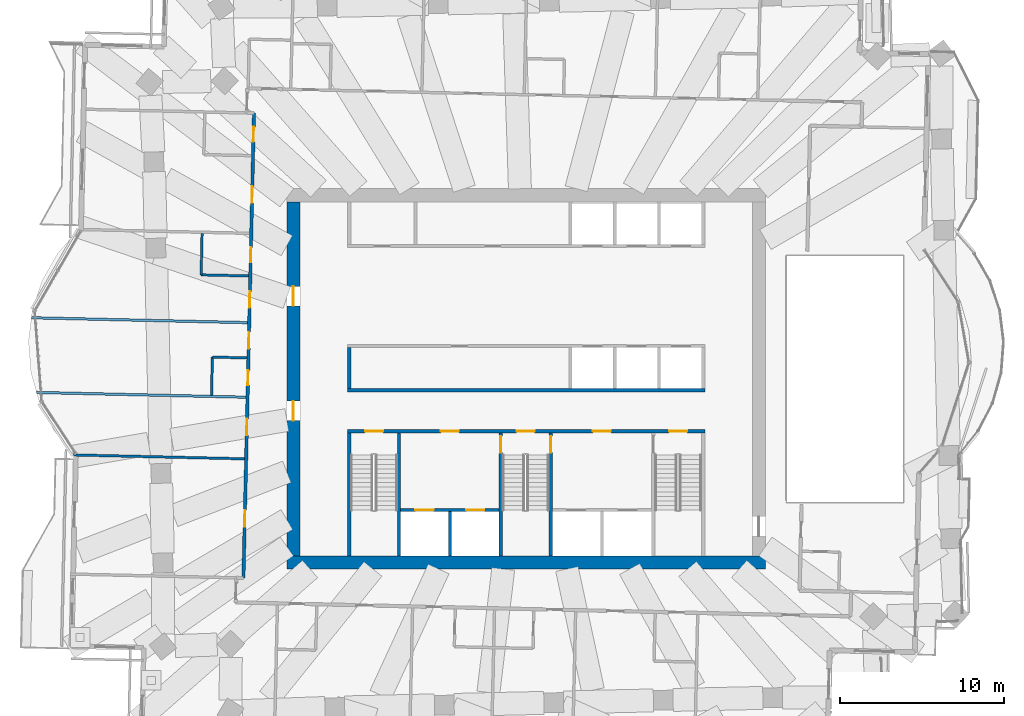
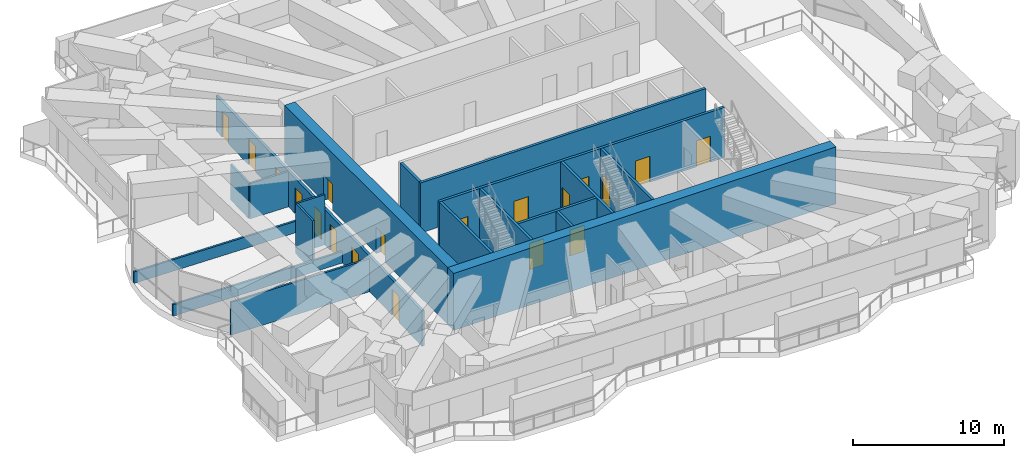
# One storey, part 10 of 19: 19 doors, 19 walls, 19 openings.
"""IFC4 building model written with IfcOpenShell, lengths in metres."""

from ifc_helpers import new_model, si_unit, direction, frame, frame_2d, origin, place, context, subcontext, project, spatial, rectangle, extrude, material, layer, layer_set, type_object, element, fill, save


model = new_model("IFC4")

# Units and contexts
model_context = context("Model", 3, precision=1e-05, world=origin(), true_north=direction((0.0, 1.0)))
body_context = subcontext(model_context, "Body", "Model", "MODEL_VIEW")
ifc_project = project(units=[si_unit("LENGTHUNIT", "METRE"), si_unit("AREAUNIT", "SQUARE_METRE"), si_unit("VOLUMEUNIT", "CUBIC_METRE"), si_unit("PLANEANGLEUNIT", "RADIAN"), si_unit("MASSUNIT", "GRAM", prefix="KILO")], contexts=[model_context])

# Site, building, storey
site_placement = place(None, origin())
site = spatial("IfcSite", under=ifc_project, at=site_placement, CompositionType="ELEMENT")
building_placement = place(site_placement, origin())
building = spatial("IfcBuilding", under=site, at=building_placement, Name="Mangrove Gate Tower", CompositionType="ELEMENT")
storey_placement = place(building_placement, frame((0.0, 0.0, 193.300048828125)))
storey = spatial("IfcBuildingStorey", under=building, at=storey_placement, Name="L49", CompositionType="ELEMENT", Elevation=193.300048828125)

# Walls
ifc_material_1 = material(Name="Concrete C32/40", Category="concrete")
ifc_layer_1 = layer(ifc_material_1, 0.199951171875)
ifc_layer_set_1 = layer_set([ifc_layer_1], Name="Core room wall 200 C32/40")
wall_type_1 = type_object("IfcWallType", Name="Core room wall 200 C32/40", PredefinedType="STANDARD", material=ifc_layer_set_1)
wall_1_placement = place(storey_placement, frame((-10.800048828125, -0.60009765625, 0.0), z_axis=(0.0, 0.0, 1.0), x_axis=(0.0, 1.0, 0.0)))
element("IfcWall", 1, at=wall_1_placement, inside=storey, type_object=wall_type_1, Name="WALL-L49-CORE-19", PredefinedType="STANDARD", context=body_context, shape_type="SweptSolid", body=[
    extrude(rectangle(XDim=2.5, YDim=0.199951171875, at=frame_2d((1.25, 0.0))), origin(), (0.0, 0.0, 1.0), 4.050048828125),
])
ifc_material_2 = material(Name="Concrete C60/75", Category="concrete")
ifc_layer_2 = layer(ifc_material_2, 0.199951171875)
ifc_layer_set_2 = layer_set([ifc_layer_2], Name="Core shaft wall 200 C60/75")
wall_type_2 = type_object("IfcWallType", Name="Core shaft wall 200 C60/75", PredefinedType="SHEAR", material=ifc_layer_set_2)
wall_2_placement = place(storey_placement, frame((-10.89990234375, -0.699951171875, 0.0), z_axis=(0.0, 0.0, 1.0), x_axis=(1.0, 0.0, 0.0)))
element("IfcWall", 2, at=wall_2_placement, inside=storey, type_object=wall_type_2, Name="WALL-L49-CORE-6", PredefinedType="SHEAR", context=body_context, shape_type="SweptSolid", body=[
    extrude(rectangle(XDim=21.7998046875, YDim=0.199951171875, at=frame_2d((10.89990234375, 0.0))), origin(), (0.0, 0.0, 1.0), 4.050048828125),
])

# Wall, openings, doors
wall_3_placement = place(storey_placement, frame((-7.64990234375, -8.0, 0.0), z_axis=(0.0, 0.0, 1.0), x_axis=(1.0, 0.0, 0.0)))
wall_3 = element("IfcWall", 3, at=wall_3_placement, inside=storey, type_object=wall_type_2, Name="WALL-L49-CORE-15", PredefinedType="SHEAR", context=body_context, shape_type="SweptSolid", body=[
    extrude(rectangle(XDim=6.0, YDim=0.199951171875, at=frame_2d((3.0, 0.0))), origin(), (0.0, 0.0, 1.0), 4.050048828125),
])
opening_1_placement = place(wall_3_placement, frame((0.89990234375, 0.0, 0.0)))
opening_1 = element("IfcOpeningElement", 4, at=opening_1_placement, cuts=wall_3, Name="Opening LD", PredefinedType="OPENING", context=body_context, shape_type="SweptSolid", body=[
    extrude(rectangle(XDim=1.10009765625, YDim=2.10009765625, at=frame_2d((0.550048828125, 1.050048828125))), frame((0.0, 0.10986328125, 0.0), z_axis=(0.0, -1.0, 0.0), x_axis=(1.0, 0.0, 0.0)), (0.0, 0.0, 1.0), 0.219970703125),
])
opening_2_placement = place(wall_3_placement, frame((4.0, 0.0, 0.0)))
opening_2 = element("IfcOpeningElement", 5, at=opening_2_placement, cuts=wall_3, Name="Opening LD", PredefinedType="OPENING", context=body_context, shape_type="SweptSolid", body=[
    extrude(rectangle(XDim=1.10009765625, YDim=2.10009765625, at=frame_2d((0.550048828125, 1.050048828125))), frame((0.0, 0.10986328125, 0.0), z_axis=(0.0, -1.0, 0.0), x_axis=(1.0, 0.0, 0.0)), (0.0, 0.0, 1.0), 0.219970703125),
])
ifc_material_3 = material(Name="Stainless steel 316", Category="steel")
door_type_1 = type_object("IfcDoorType", Name="Lift landing door 1100x2100", OperationType="SLIDING_TO_LEFT", PredefinedType="DOOR", material=ifc_material_3)
door_1_placement = place(opening_1_placement, origin())
door_1 = element("IfcDoor", 6, at=door_1_placement, inside=storey, type_object=door_type_1, Name="Landing door LD SVL1", OperationType="SLIDING_TO_LEFT", OverallHeight=2.10009765625, OverallWidth=1.10009765625, PredefinedType="DOOR", context=body_context, shape_type="SweptSolid", body=[
    extrude(rectangle(XDim=1.10009765625, YDim=2.10009765625, at=frame_2d((0.550048828125, 1.050048828125))), frame((0.0, 0.02490234375, 0.0), z_axis=(0.0, -1.0, 0.0), x_axis=(1.0, 0.0, 0.0)), (0.0, 0.0, 1.0), 0.050048828125),
])
fill(opening_1, door_1)
door_2_placement = place(opening_2_placement, origin())
door_2 = element("IfcDoor", 7, at=door_2_placement, inside=storey, type_object=door_type_1, Name="Landing door LD SVL2", OperationType="SLIDING_TO_LEFT", OverallHeight=2.10009765625, OverallWidth=1.10009765625, PredefinedType="DOOR", context=body_context, shape_type="SweptSolid", body=[
    extrude(rectangle(XDim=1.10009765625, YDim=2.10009765625, at=frame_2d((0.550048828125, 1.050048828125))), frame((0.0, 0.02490234375, 0.0), z_axis=(0.0, -1.0, 0.0), x_axis=(1.0, 0.0, 0.0)), (0.0, 0.0, 1.0), 0.050048828125),
])
fill(opening_2, door_2)

# Wall
wall_4_placement = place(storey_placement, frame((-4.64990234375, -10.800048828125, 0.0), z_axis=(0.0, 0.0, 1.0), x_axis=(0.0, 1.0, 0.0)))
element("IfcWall", 8, at=wall_4_placement, inside=storey, type_object=wall_type_2, Name="WALL-L49-CORE-16", PredefinedType="SHEAR", context=body_context, shape_type="SweptSolid", body=[
    extrude(rectangle(XDim=2.699951171875, YDim=0.199951171875, at=frame_2d((1.35009765625, 0.0))), origin(), (0.0, 0.0, 1.0), 4.050048828125),
])

# Wall, openings, doors
ifc_material_4 = material(Name="Concrete C60/75", Category="concrete")
ifc_layer_3 = layer(ifc_material_4, 0.199951171875)
ifc_layer_set_3 = layer_set([ifc_layer_3], Name="Core stair wall 200 C60/75")
wall_type_3 = type_object("IfcWallType", Name="Core stair wall 200 C60/75", PredefinedType="SHEAR", material=ifc_layer_set_3)
wall_5_placement = place(storey_placement, frame((-10.89990234375, -3.199951171875, 0.0), z_axis=(0.0, 0.0, 1.0), x_axis=(1.0, 0.0, 0.0)))
wall_5 = element("IfcWall", 9, at=wall_5_placement, inside=storey, type_object=wall_type_3, Name="WALL-L49-CORE-5", PredefinedType="SHEAR", context=body_context, shape_type="SweptSolid", body=[
    extrude(rectangle(XDim=21.7998046875, YDim=0.199951171875, at=frame_2d((10.89990234375, 0.0))), origin(), (0.0, 0.0, 1.0), 4.050048828125),
])
opening_3_placement = place(wall_5_placement, frame((1.074951171875, 0.0, 0.0)))
opening_3 = element("IfcOpeningElement", 10, at=opening_3_placement, cuts=wall_5, Name="Opening STD11", PredefinedType="OPENING", context=body_context, shape_type="SweptSolid", body=[
    extrude(rectangle(XDim=1.10009765625, YDim=2.10009765625, at=frame_2d((0.550048828125, 1.050048828125))), frame((0.0, 0.10986328125, 0.0), z_axis=(0.0, -1.0, 0.0), x_axis=(1.0, 0.0, 0.0)), (0.0, 0.0, 1.0), 0.219970703125),
])
opening_4_placement = place(wall_5_placement, frame((10.324951171875, 0.0, 0.0)))
opening_4 = element("IfcOpeningElement", 11, at=opening_4_placement, cuts=wall_5, Name="Opening STD11", PredefinedType="OPENING", context=body_context, shape_type="SweptSolid", body=[
    extrude(rectangle(XDim=1.10009765625, YDim=2.10009765625, at=frame_2d((0.550048828125, 1.050048828125))), frame((0.0, 0.10986328125, 0.0), z_axis=(0.0, -1.0, 0.0), x_axis=(1.0, 0.0, 0.0)), (0.0, 0.0, 1.0), 0.219970703125),
])
opening_5_placement = place(wall_5_placement, frame((19.625, 0.0, 0.0)))
opening_5 = element("IfcOpeningElement", 12, at=opening_5_placement, cuts=wall_5, Name="Opening STD11", PredefinedType="OPENING", context=body_context, shape_type="SweptSolid", body=[
    extrude(rectangle(XDim=1.10009765625, YDim=2.10009765625, at=frame_2d((0.550048828125, 1.050048828125))), frame((0.0, 0.10986328125, 0.0), z_axis=(0.0, -1.0, 0.0), x_axis=(1.0, 0.0, 0.0)), (0.0, 0.0, 1.0), 0.219970703125),
])
opening_6_placement = place(wall_5_placement, frame((5.699951171875, 0.0, 0.0)))
opening_6 = element("IfcOpeningElement", 13, at=opening_6_placement, cuts=wall_5, Name="Opening FL", PredefinedType="OPENING", context=body_context, shape_type="SweptSolid", body=[
    extrude(rectangle(XDim=1.10009765625, YDim=2.10009765625, at=frame_2d((0.550048828125, 1.050048828125))), frame((0.0, 0.10986328125, 0.0), z_axis=(0.0, -1.0, 0.0), x_axis=(1.0, 0.0, 0.0)), (0.0, 0.0, 1.0), 0.219970703125),
])
opening_7_placement = place(wall_5_placement, frame((14.97509765625, 0.0, 0.0)))
opening_7 = element("IfcOpeningElement", 14, at=opening_7_placement, cuts=wall_5, Name="Opening FL", PredefinedType="OPENING", context=body_context, shape_type="SweptSolid", body=[
    extrude(rectangle(XDim=1.10009765625, YDim=2.10009765625, at=frame_2d((0.550048828125, 1.050048828125))), frame((0.0, 0.10986328125, 0.0), z_axis=(0.0, -1.0, 0.0), x_axis=(1.0, 0.0, 0.0)), (0.0, 0.0, 1.0), 0.219970703125),
])
ifc_material_5 = material(Name="Fire-rated steel door set", Category="steel")
door_type_2 = type_object("IfcDoorType", Name="Lobby door FD60 1100x2100", OperationType="SINGLE_SWING_LEFT", PredefinedType="DOOR", material=ifc_material_5)
door_3_placement = place(opening_6_placement, origin())
door_3 = element("IfcDoor", 15, at=door_3_placement, inside=storey, type_object=door_type_2, Name="Lobby door service lobby", OperationType="SINGLE_SWING_LEFT", OverallHeight=2.10009765625, OverallWidth=1.10009765625, PredefinedType="DOOR", context=body_context, shape_type="SweptSolid", body=[
    extrude(rectangle(XDim=1.10009765625, YDim=2.10009765625, at=frame_2d((0.550048828125, 1.050048828125))), frame((0.0, 0.02490234375, 0.0), z_axis=(0.0, -1.0, 0.0), x_axis=(1.0, 0.0, 0.0)), (0.0, 0.0, 1.0), 0.050048828125),
])
fill(opening_6, door_3)
door_4_placement = place(opening_7_placement, origin())
door_4 = element("IfcDoor", 16, at=door_4_placement, inside=storey, type_object=door_type_2, Name="Lobby door fire-fighting lobby", OperationType="SINGLE_SWING_LEFT", OverallHeight=2.10009765625, OverallWidth=1.10009765625, PredefinedType="DOOR", context=body_context, shape_type="SweptSolid", body=[
    extrude(rectangle(XDim=1.10009765625, YDim=2.10009765625, at=frame_2d((0.550048828125, 1.050048828125))), frame((0.0, 0.02490234375, 0.0), z_axis=(0.0, -1.0, 0.0), x_axis=(1.0, 0.0, 0.0)), (0.0, 0.0, 1.0), 0.050048828125),
])
fill(opening_7, door_4)
ifc_material_6 = material(Name="Fire-rated steel door set", Category="steel")
door_type_3 = type_object("IfcDoorType", Name="Stair door FD60 1100x2100", OperationType="SINGLE_SWING_RIGHT", PredefinedType="DOOR", material=ifc_material_6)
door_5_placement = place(opening_3_placement, origin())
door_5 = element("IfcDoor", 17, at=door_5_placement, inside=storey, type_object=door_type_3, Name="Stair door Stair 1", OperationType="SINGLE_SWING_RIGHT", OverallHeight=2.10009765625, OverallWidth=1.10009765625, PredefinedType="DOOR", context=body_context, shape_type="SweptSolid", body=[
    extrude(rectangle(XDim=1.10009765625, YDim=2.10009765625, at=frame_2d((0.550048828125, 1.050048828125))), frame((0.0, 0.02490234375, 0.0), z_axis=(0.0, -1.0, 0.0), x_axis=(1.0, 0.0, 0.0)), (0.0, 0.0, 1.0), 0.050048828125),
])
fill(opening_3, door_5)
door_6_placement = place(opening_4_placement, origin())
door_6 = element("IfcDoor", 18, at=door_6_placement, inside=storey, type_object=door_type_3, Name="Stair door Stair 2", OperationType="SINGLE_SWING_RIGHT", OverallHeight=2.10009765625, OverallWidth=1.10009765625, PredefinedType="DOOR", context=body_context, shape_type="SweptSolid", body=[
    extrude(rectangle(XDim=1.10009765625, YDim=2.10009765625, at=frame_2d((0.550048828125, 1.050048828125))), frame((0.0, 0.02490234375, 0.0), z_axis=(0.0, -1.0, 0.0), x_axis=(1.0, 0.0, 0.0)), (0.0, 0.0, 1.0), 0.050048828125),
])
fill(opening_4, door_6)
door_7_placement = place(opening_5_placement, origin())
door_7 = element("IfcDoor", 19, at=door_7_placement, inside=storey, type_object=door_type_3, Name="Stair door Stair 3", OperationType="SINGLE_SWING_RIGHT", OverallHeight=2.10009765625, OverallWidth=1.10009765625, PredefinedType="DOOR", context=body_context, shape_type="SweptSolid", body=[
    extrude(rectangle(XDim=1.10009765625, YDim=2.10009765625, at=frame_2d((0.550048828125, 1.050048828125))), frame((0.0, 0.02490234375, 0.0), z_axis=(0.0, -1.0, 0.0), x_axis=(1.0, 0.0, 0.0)), (0.0, 0.0, 1.0), 0.050048828125),
])
fill(opening_5, door_7)

# Walls
for number, where, z_axis, x_axis, name in (
    (20, (-10.800048828125, -10.800048828125, 0.0), (0.0, 0.0, 1.0), (0.0, 1.0, 0.0), "WALL-L49-CORE-9"),
    (21, (-7.75, -10.800048828125, 0.0), (0.0, 0.0, 1.0), (0.0, 1.0, 0.0), "WALL-L49-CORE-10"),
):
    element("IfcWall", number, at=place(storey_placement, frame(where, z_axis=z_axis, x_axis=x_axis)), inside=storey, type_object=wall_type_3, Name=name, PredefinedType="SHEAR", context=body_context, shape_type="SweptSolid", body=[
        extrude(rectangle(XDim=7.5, YDim=0.199951171875, at=frame_2d((3.75, 0.0))), origin(), (0.0, 0.0, 1.0), 4.050048828125),
    ])

# Wall, opening, door
wall_6_placement = place(storey_placement, frame((-1.550048828125, -10.800048828125, 0.0), z_axis=(0.0, 0.0, 1.0), x_axis=(0.0, 1.0, 0.0)))
wall_6 = element("IfcWall", 22, at=wall_6_placement, inside=storey, type_object=wall_type_3, Name="WALL-L49-CORE-11", PredefinedType="SHEAR", context=body_context, shape_type="SweptSolid", body=[
    extrude(rectangle(XDim=7.5, YDim=0.199951171875, at=frame_2d((3.75, 0.0))), origin(), (0.0, 0.0, 1.0), 4.050048828125),
])
opening_8_placement = place(wall_6_placement, frame((6.300048828125, 0.0, 0.0)))
opening_8 = element("IfcOpeningElement", 23, at=opening_8_placement, cuts=wall_6, Name="Opening STD10", PredefinedType="OPENING", context=body_context, shape_type="SweptSolid", body=[
    extrude(rectangle(XDim=1.0, YDim=2.10009765625, at=frame_2d((0.5, 1.050048828125))), frame((0.0, 0.10986328125, 0.0), z_axis=(0.0, -1.0, 0.0), x_axis=(1.0, 0.0, 0.0)), (0.0, 0.0, 1.0), 0.219970703125),
])
ifc_material_7 = material(Name="Fire-rated steel door set", Category="steel")
door_type_4 = type_object("IfcDoorType", Name="Stair door FD60 1000x2100", OperationType="SINGLE_SWING_RIGHT", PredefinedType="DOOR", material=ifc_material_7)
door_8_placement = place(opening_8_placement, origin())
door_8 = element("IfcDoor", 24, at=door_8_placement, inside=storey, type_object=door_type_4, Name="Stair door Stair 2 from service lobby", OperationType="SINGLE_SWING_RIGHT", OverallHeight=2.10009765625, OverallWidth=1.0, PredefinedType="DOOR", context=body_context, shape_type="SweptSolid", body=[
    extrude(rectangle(XDim=1.0, YDim=2.10009765625, at=frame_2d((0.5, 1.050048828125))), frame((0.0, 0.02490234375, 0.0), z_axis=(0.0, -1.0, 0.0), x_axis=(1.0, 0.0, 0.0)), (0.0, 0.0, 1.0), 0.050048828125),
])
fill(opening_8, door_8)

wall_7_placement = place(storey_placement, frame((1.5, -10.800048828125, 0.0), z_axis=(0.0, 0.0, 1.0), x_axis=(0.0, 1.0, 0.0)))
wall_7 = element("IfcWall", 25, at=wall_7_placement, inside=storey, type_object=wall_type_3, Name="WALL-L49-CORE-12", PredefinedType="SHEAR", context=body_context, shape_type="SweptSolid", body=[
    extrude(rectangle(XDim=7.5, YDim=0.199951171875, at=frame_2d((3.75, 0.0))), origin(), (0.0, 0.0, 1.0), 4.050048828125),
])
opening_9_placement = place(wall_7_placement, frame((6.300048828125, 0.0, 0.0)))
opening_9 = element("IfcOpeningElement", 26, at=opening_9_placement, cuts=wall_7, Name="Opening STD10", PredefinedType="OPENING", context=body_context, shape_type="SweptSolid", body=[
    extrude(rectangle(XDim=1.0, YDim=2.10009765625, at=frame_2d((0.5, 1.050048828125))), frame((0.0, 0.10986328125, 0.0), z_axis=(0.0, -1.0, 0.0), x_axis=(1.0, 0.0, 0.0)), (0.0, 0.0, 1.0), 0.219970703125),
])
door_9_placement = place(opening_9_placement, origin())
door_9 = element("IfcDoor", 27, at=door_9_placement, inside=storey, type_object=door_type_4, Name="Stair door Stair 2 from fire-fighting lobby", OperationType="SINGLE_SWING_RIGHT", OverallHeight=2.10009765625, OverallWidth=1.0, PredefinedType="DOOR", context=body_context, shape_type="SweptSolid", body=[
    extrude(rectangle(XDim=1.0, YDim=2.10009765625, at=frame_2d((0.5, 1.050048828125))), frame((0.0, 0.02490234375, 0.0), z_axis=(0.0, -1.0, 0.0), x_axis=(1.0, 0.0, 0.0)), (0.0, 0.0, 1.0), 0.050048828125),
])
fill(opening_9, door_9)

# Wall
ifc_material_8 = material(Name="Concrete C60/75", Category="concrete")
ifc_layer_4 = layer(ifc_material_8, 0.800048828125)
ifc_layer_set_4 = layer_set([ifc_layer_4], Name="Core wall 800 C60/75")
wall_type_4 = type_object("IfcWallType", Name="Core wall 800 C60/75", PredefinedType="SHEAR", material=ifc_layer_set_4)
wall_8_placement = place(storey_placement, frame((-14.60009765625, -11.199951171875, 0.0), z_axis=(0.0, 0.0, 1.0), x_axis=(1.0, 0.0, 0.0)))
element("IfcWall", 28, at=wall_8_placement, inside=storey, type_object=wall_type_4, Name="WALL-L49-CORE-1", PredefinedType="SHEAR", context=body_context, shape_type="SweptSolid", body=[
    extrude(rectangle(XDim=29.2001953125, YDim=0.800048828125, at=frame_2d((14.60009765625, 0.0))), origin(), (0.0, 0.0, 1.0), 4.599853515625),
])

# Wall, openings, doors
wall_9_placement = place(storey_placement, frame((-14.199951171875, -10.800048828125, 0.0), z_axis=(0.0, 0.0, 1.0), x_axis=(0.0, 1.0, 0.0)))
wall_9 = element("IfcWall", 29, at=wall_9_placement, inside=storey, type_object=wall_type_4, Name="WALL-L49-CORE-3", PredefinedType="SHEAR", context=body_context, shape_type="SweptSolid", body=[
    extrude(rectangle(XDim=21.60009765625, YDim=0.800048828125, at=frame_2d((10.800048828125, 0.0))), origin(), (0.0, 0.0, 1.0), 4.599853515625),
])
opening_10_placement = place(wall_9_placement, frame((8.25, 0.0, 0.0)))
opening_10 = element("IfcOpeningElement", 30, at=opening_10_placement, cuts=wall_9, Name="Opening CD", PredefinedType="OPENING", context=body_context, shape_type="SweptSolid", body=[
    extrude(rectangle(XDim=1.199951171875, YDim=2.10009765625, at=frame_2d((0.60009765625, 1.050048828125))), frame((0.0, 0.409912109375, 0.0), z_axis=(0.0, -1.0, 0.0), x_axis=(1.0, 0.0, 0.0)), (0.0, 0.0, 1.0), 0.820068359375),
])
opening_11_placement = place(wall_9_placement, frame((15.25, 0.0, 0.0)))
opening_11 = element("IfcOpeningElement", 31, at=opening_11_placement, cuts=wall_9, Name="Opening CD", PredefinedType="OPENING", context=body_context, shape_type="SweptSolid", body=[
    extrude(rectangle(XDim=1.199951171875, YDim=2.10009765625, at=frame_2d((0.60009765625, 1.050048828125))), frame((0.0, 0.409912109375, 0.0), z_axis=(0.0, -1.0, 0.0), x_axis=(1.0, 0.0, 0.0)), (0.0, 0.0, 1.0), 0.820068359375),
])
ifc_material_9 = material(Name="Fire-rated steel door set", Category="steel")
door_type_5 = type_object("IfcDoorType", Name="Core ring door FD60 1200x2100", OperationType="DOUBLE_DOOR_SINGLE_SWING", PredefinedType="DOOR", material=ifc_material_9)
door_10_placement = place(opening_10_placement, origin())
door_10 = element("IfcDoor", 32, at=door_10_placement, inside=storey, type_object=door_type_5, Name="Core ring door W1", OperationType="DOUBLE_DOOR_SINGLE_SWING", OverallHeight=2.10009765625, OverallWidth=1.199951171875, PredefinedType="DOOR", context=body_context, shape_type="SweptSolid", body=[
    extrude(rectangle(XDim=1.199951171875, YDim=2.10009765625, at=frame_2d((0.60009765625, 1.050048828125))), frame((0.0, 0.02490234375, 0.0), z_axis=(0.0, -1.0, 0.0), x_axis=(1.0, 0.0, 0.0)), (0.0, 0.0, 1.0), 0.050048828125),
])
fill(opening_10, door_10)
door_11_placement = place(opening_11_placement, origin())
door_11 = element("IfcDoor", 33, at=door_11_placement, inside=storey, type_object=door_type_5, Name="Core ring door W2", OperationType="DOUBLE_DOOR_SINGLE_SWING", OverallHeight=2.10009765625, OverallWidth=1.199951171875, PredefinedType="DOOR", context=body_context, shape_type="SweptSolid", body=[
    extrude(rectangle(XDim=1.199951171875, YDim=2.10009765625, at=frame_2d((0.60009765625, 1.050048828125))), frame((0.0, 0.02490234375, 0.0), z_axis=(0.0, -1.0, 0.0), x_axis=(1.0, 0.0, 0.0)), (0.0, 0.0, 1.0), 0.050048828125),
])
fill(opening_11, door_11)

ifc_material_10 = material(Name="Gypsum board on steel stud, EI 60", Category="steel")
ifc_layer_5 = layer(ifc_material_10, 0.199951171875)
ifc_layer_set_5 = layer_set([ifc_layer_5], Name="Corridor wall EI 60")
wall_type_5 = type_object("IfcWallType", Name="Corridor wall EI 60", PredefinedType="PARTITIONING", material=ifc_layer_set_5)
wall_10_placement = place(storey_placement, frame((-17.2470703125, -12.14892578125, 0.0), z_axis=(0.0, 0.0, 1.0), x_axis=(0.022698146637, 0.999742363881, 0.0)))
wall_10 = element("IfcWall", 34, at=wall_10_placement, inside=storey, type_object=wall_type_5, Name="WALL-L49-018", PredefinedType="PARTITIONING", context=body_context, shape_type="SweptSolid", body=[
    extrude(rectangle(XDim=28.374267578125, YDim=0.199951171875, at=frame_2d((14.18701171875, 0.0))), origin(), (0.0, 0.0, 1.0), 2.849853515625),
])
opening_12_placement = place(wall_10_placement, frame((22.89990234375, 0.0, 0.0)))
opening_12 = element("IfcOpeningElement", 35, at=opening_12_placement, cuts=wall_10, Name="Opening AD", PredefinedType="OPENING", context=body_context, shape_type="SweptSolid", body=[
    extrude(rectangle(XDim=1.0, YDim=2.10009765625, at=frame_2d((0.5, 1.050048828125))), frame((0.0, 0.10986328125, 0.0), z_axis=(0.0, -1.0, 0.0), x_axis=(1.0, 0.0, 0.0)), (0.0, 0.0, 1.0), 0.219970703125),
])
opening_13_placement = place(wall_10_placement, frame((26.6240234375, 0.0, 0.0)))
opening_13 = element("IfcOpeningElement", 36, at=opening_13_placement, cuts=wall_10, Name="Opening SD", PredefinedType="OPENING", context=body_context, shape_type="SweptSolid", body=[
    extrude(rectangle(XDim=0.89990234375, YDim=2.10009765625, at=frame_2d((0.449951171875, 1.050048828125))), frame((0.0, 0.10986328125, 0.0), z_axis=(0.0, -1.0, 0.0), x_axis=(1.0, 0.0, 0.0)), (0.0, 0.0, 1.0), 0.219970703125),
])
opening_14_placement = place(wall_10_placement, frame((16.5, 0.0, 0.0)))
opening_14 = element("IfcOpeningElement", 37, at=opening_14_placement, cuts=wall_10, Name="Opening AD", PredefinedType="OPENING", context=body_context, shape_type="SweptSolid", body=[
    extrude(rectangle(XDim=1.0, YDim=2.10009765625, at=frame_2d((0.5, 1.050048828125))), frame((0.0, 0.10986328125, 0.0), z_axis=(0.0, -1.0, 0.0), x_axis=(1.0, 0.0, 0.0)), (0.0, 0.0, 1.0), 0.219970703125),
])
opening_15_placement = place(wall_10_placement, frame((19.27490234375, 0.0, 0.0)))
opening_15 = element("IfcOpeningElement", 38, at=opening_15_placement, cuts=wall_10, Name="Opening SD", PredefinedType="OPENING", context=body_context, shape_type="SweptSolid", body=[
    extrude(rectangle(XDim=0.89990234375, YDim=2.10009765625, at=frame_2d((0.449951171875, 1.050048828125))), frame((0.0, 0.10986328125, 0.0), z_axis=(0.0, -1.0, 0.0), x_axis=(1.0, 0.0, 0.0)), (0.0, 0.0, 1.0), 0.219970703125),
])
opening_16_placement = place(wall_10_placement, frame((14.0, 0.0, 0.0)))
opening_16 = element("IfcOpeningElement", 39, at=opening_16_placement, cuts=wall_10, Name="Opening AD", PredefinedType="OPENING", context=body_context, shape_type="SweptSolid", body=[
    extrude(rectangle(XDim=1.0, YDim=2.10009765625, at=frame_2d((0.5, 1.050048828125))), frame((0.0, 0.10986328125, 0.0), z_axis=(0.0, -1.0, 0.0), x_axis=(1.0, 0.0, 0.0)), (0.0, 0.0, 1.0), 0.219970703125),
])
opening_17_placement = place(wall_10_placement, frame((11.77490234375, 0.0, 0.0)))
opening_17 = element("IfcOpeningElement", 40, at=opening_17_placement, cuts=wall_10, Name="Opening SD", PredefinedType="OPENING", context=body_context, shape_type="SweptSolid", body=[
    extrude(rectangle(XDim=0.89990234375, YDim=2.10009765625, at=frame_2d((0.449951171875, 1.050048828125))), frame((0.0, 0.10986328125, 0.0), z_axis=(0.0, -1.0, 0.0), x_axis=(1.0, 0.0, 0.0)), (0.0, 0.0, 1.0), 0.219970703125),
])
opening_18_placement = place(wall_10_placement, frame((8.7119140625, 0.0, 0.0)))
opening_18 = element("IfcOpeningElement", 41, at=opening_18_placement, cuts=wall_10, Name="Opening AD", PredefinedType="OPENING", context=body_context, shape_type="SweptSolid", body=[
    extrude(rectangle(XDim=1.0, YDim=2.10009765625, at=frame_2d((0.5, 1.050048828125))), frame((0.0, 0.10986328125, 0.0), z_axis=(0.0, -1.0, 0.0), x_axis=(1.0, 0.0, 0.0)), (0.0, 0.0, 1.0), 0.219970703125),
])
opening_19_placement = place(wall_10_placement, frame((3.137939453125, 0.0, 0.0)))
opening_19 = element("IfcOpeningElement", 42, at=opening_19_placement, cuts=wall_10, Name="Opening AD", PredefinedType="OPENING", context=body_context, shape_type="SweptSolid", body=[
    extrude(rectangle(XDim=1.0, YDim=2.10009765625, at=frame_2d((0.5, 1.050048828125))), frame((0.0, 0.10986328125, 0.0), z_axis=(0.0, -1.0, 0.0), x_axis=(1.0, 0.0, 0.0)), (0.0, 0.0, 1.0), 0.219970703125),
])
ifc_material_11 = material(Name="Timber door leaf", Category="wood")
door_type_6 = type_object("IfcDoorType", Name="Amenity door 1000", OperationType="SINGLE_SWING_LEFT", PredefinedType="DOOR", material=ifc_material_11)
door_12_placement = place(opening_12_placement, origin())
door_12 = element("IfcDoor", 43, at=door_12_placement, inside=storey, type_object=door_type_6, Name="DOOR-L49-LNG-c5b", OperationType="SINGLE_SWING_RIGHT", OverallHeight=2.10009765625, OverallWidth=1.0, PredefinedType="DOOR", context=body_context, shape_type="SweptSolid", body=[
    extrude(rectangle(XDim=1.0, YDim=2.10009765625, at=frame_2d((0.5, 1.050048828125))), frame((0.0, 0.02490234375, 0.0), z_axis=(0.0, -1.0, 0.0), x_axis=(1.0, 0.0, 0.0)), (0.0, 0.0, 1.0), 0.050048828125),
])
fill(opening_12, door_12)
door_13_placement = place(opening_14_placement, origin())
door_13 = element("IfcDoor", 44, at=door_13_placement, inside=storey, type_object=door_type_6, Name="DOOR-L49-LNG-c5c", OperationType="SINGLE_SWING_LEFT", OverallHeight=2.10009765625, OverallWidth=1.0, PredefinedType="DOOR", context=body_context, shape_type="SweptSolid", body=[
    extrude(rectangle(XDim=1.0, YDim=2.10009765625, at=frame_2d((0.5, 1.050048828125))), frame((0.0, 0.02490234375, 0.0), z_axis=(0.0, -1.0, 0.0), x_axis=(1.0, 0.0, 0.0)), (0.0, 0.0, 1.0), 0.050048828125),
])
fill(opening_14, door_13)
door_14_placement = place(opening_16_placement, origin())
door_14 = element("IfcDoor", 45, at=door_14_placement, inside=storey, type_object=door_type_6, Name="DOOR-L49-LNG-c5d", OperationType="SINGLE_SWING_RIGHT", OverallHeight=2.10009765625, OverallWidth=1.0, PredefinedType="DOOR", context=body_context, shape_type="SweptSolid", body=[
    extrude(rectangle(XDim=1.0, YDim=2.10009765625, at=frame_2d((0.5, 1.050048828125))), frame((0.0, 0.02490234375, 0.0), z_axis=(0.0, -1.0, 0.0), x_axis=(1.0, 0.0, 0.0)), (0.0, 0.0, 1.0), 0.050048828125),
])
fill(opening_16, door_14)
door_15_placement = place(opening_18_placement, origin())
door_15 = element("IfcDoor", 46, at=door_15_placement, inside=storey, type_object=door_type_6, Name="DOOR-L49-KIT-c5d", OperationType="SINGLE_SWING_LEFT", OverallHeight=2.10009765625, OverallWidth=1.0, PredefinedType="DOOR", context=body_context, shape_type="SweptSolid", body=[
    extrude(rectangle(XDim=1.0, YDim=2.10009765625, at=frame_2d((0.5, 1.050048828125))), frame((0.0, 0.02490234375, 0.0), z_axis=(0.0, -1.0, 0.0), x_axis=(1.0, 0.0, 0.0)), (0.0, 0.0, 1.0), 0.050048828125),
])
fill(opening_18, door_15)
door_16_placement = place(opening_19_placement, origin())
door_16 = element("IfcDoor", 47, at=door_16_placement, inside=storey, type_object=door_type_6, Name="DOOR-L49-LNG-c5e", OperationType="SINGLE_SWING_RIGHT", OverallHeight=2.10009765625, OverallWidth=1.0, PredefinedType="DOOR", context=body_context, shape_type="SweptSolid", body=[
    extrude(rectangle(XDim=1.0, YDim=2.10009765625, at=frame_2d((0.5, 1.050048828125))), frame((0.0, 0.02490234375, 0.0), z_axis=(0.0, -1.0, 0.0), x_axis=(1.0, 0.0, 0.0)), (0.0, 0.0, 1.0), 0.050048828125),
])
fill(opening_19, door_16)
ifc_material_12 = material(Name="Timber door leaf", Category="wood")
door_type_7 = type_object("IfcDoorType", Name="Service room door 900", OperationType="SINGLE_SWING_LEFT", PredefinedType="DOOR", material=ifc_material_12)
door_17_placement = place(opening_13_placement, origin())
door_17 = element("IfcDoor", 48, at=door_17_placement, inside=storey, type_object=door_type_7, Name="DOOR-L49-AWC-c5b", OperationType="SINGLE_SWING_LEFT", OverallHeight=2.10009765625, OverallWidth=0.89990234375, PredefinedType="DOOR", context=body_context, shape_type="SweptSolid", body=[
    extrude(rectangle(XDim=0.89990234375, YDim=2.10009765625, at=frame_2d((0.449951171875, 1.050048828125))), frame((0.0, 0.02490234375, 0.0), z_axis=(0.0, -1.0, 0.0), x_axis=(1.0, 0.0, 0.0)), (0.0, 0.0, 1.0), 0.050048828125),
])
fill(opening_13, door_17)
door_18_placement = place(opening_15_placement, origin())
door_18 = element("IfcDoor", 49, at=door_18_placement, inside=storey, type_object=door_type_7, Name="DOOR-L49-AWC-c5c", OperationType="SINGLE_SWING_RIGHT", OverallHeight=2.10009765625, OverallWidth=0.89990234375, PredefinedType="DOOR", context=body_context, shape_type="SweptSolid", body=[
    extrude(rectangle(XDim=0.89990234375, YDim=2.10009765625, at=frame_2d((0.449951171875, 1.050048828125))), frame((0.0, 0.02490234375, 0.0), z_axis=(0.0, -1.0, 0.0), x_axis=(1.0, 0.0, 0.0)), (0.0, 0.0, 1.0), 0.050048828125),
])
fill(opening_15, door_18)
door_19_placement = place(opening_17_placement, origin())
door_19 = element("IfcDoor", 50, at=door_19_placement, inside=storey, type_object=door_type_7, Name="DOOR-L49-LIN-c5b", OperationType="SINGLE_SWING_LEFT", OverallHeight=2.10009765625, OverallWidth=0.89990234375, PredefinedType="DOOR", context=body_context, shape_type="SweptSolid", body=[
    extrude(rectangle(XDim=0.89990234375, YDim=2.10009765625, at=frame_2d((0.449951171875, 1.050048828125))), frame((0.0, 0.02490234375, 0.0), z_axis=(0.0, -1.0, 0.0), x_axis=(1.0, 0.0, 0.0)), (0.0, 0.0, 1.0), 0.050048828125),
])
fill(opening_17, door_19)

# Walls
ifc_material_13 = material(Name="Gypsum board on steel stud, EI 60", Category="steel")
ifc_layer_6 = layer(ifc_material_13, 0.14990234375)
ifc_layer_set_6 = layer_set([ifc_layer_6], Name="Party wall 150 EI 60")
wall_type_6 = type_object("IfcWallType", Name="Party wall 150 EI 60", PredefinedType="PARTITIONING", material=ifc_layer_set_6)
wall_11_placement = place(storey_placement, frame((-27.62109375, -4.64111328125, 0.0), z_axis=(0.0, 0.0, 1.0), x_axis=(0.999742728106, -0.022682098664, 0.0)))
element("IfcWall", 51, at=wall_11_placement, inside=storey, type_object=wall_type_6, Name="WALL-L49-024", PredefinedType="PARTITIONING", context=body_context, shape_type="SweptSolid", body=[
    extrude(rectangle(XDim=10.440673828125, YDim=0.14990234375, at=frame_2d((5.22021484375, 0.0))), origin(), (0.0, 0.0, 1.0), 2.64990234375),
])
wall_12_placement = place(storey_placement, frame((-19.195068359375, -1.001953125, 0.0), z_axis=(0.0, 0.0, 1.0), x_axis=(0.022781023197, 0.999740478815, 0.0)))
element("IfcWall", 52, at=wall_12_placement, inside=storey, type_object=wall_type_6, Name="WALL-L49-025", PredefinedType="PARTITIONING", context=body_context, shape_type="SweptSolid", body=[
    extrude(rectangle(XDim=2.325439453125, YDim=0.14990234375, at=frame_2d((1.16259765625, 0.0))), origin(), (0.0, 0.0, 1.0), 4.050048828125),
])
wall_13_placement = place(storey_placement, frame((-29.867919921875, -0.8291015625, 0.0), z_axis=(0.0, 0.0, 1.0), x_axis=(0.999742604636, -0.022687540085, 0.0)))
element("IfcWall", 53, at=wall_13_placement, inside=storey, type_object=wall_type_6, Name="WALL-L49-026", PredefinedType="PARTITIONING", context=body_context, shape_type="SweptSolid", body=[
    extrude(rectangle(XDim=12.773193359375, YDim=0.14990234375, at=frame_2d((6.38671875, 0.0))), origin(), (0.0, 0.0, 1.0), 0.929931640625),
])
wall_14_placement = place(storey_placement, frame((-19.14306640625, 1.327880859375, 0.0), z_axis=(0.0, 0.0, 1.0), x_axis=(0.999740513837, -0.022779486249, 0.0)))
element("IfcWall", 54, at=wall_14_placement, inside=storey, type_object=wall_type_6, Name="WALL-L49-027", PredefinedType="PARTITIONING", context=body_context, shape_type="SweptSolid", body=[
    extrude(rectangle(XDim=2.1005859375, YDim=0.14990234375, at=frame_2d((1.05029296875, 0.0))), origin(), (0.0, 0.0, 1.0), 4.050048828125),
])
wall_15_placement = place(storey_placement, frame((-30.18896484375, 3.72900390625, 0.0), z_axis=(0.0, 0.0, 1.0), x_axis=(0.999743189939, -0.022661733609, 0.0)))
element("IfcWall", 55, at=wall_15_placement, inside=storey, type_object=wall_type_6, Name="WALL-L49-028", PredefinedType="PARTITIONING", context=body_context, shape_type="SweptSolid", body=[
    extrude(rectangle(XDim=13.197265625, YDim=0.14990234375, at=frame_2d((6.5986328125, 0.0))), origin(), (0.0, 0.0, 1.0), 0.929931640625),
])
wall_16_placement = place(storey_placement, frame((-19.827880859375, 6.340087890625, 0.0), z_axis=(0.0, 0.0, 1.0), x_axis=(0.022532486354, 0.9997461113, 0.0)))
element("IfcWall", 56, at=wall_16_placement, inside=storey, type_object=wall_type_6, Name="WALL-L49-029", PredefinedType="PARTITIONING", context=body_context, shape_type="SweptSolid", body=[
    extrude(rectangle(XDim=2.524658203125, YDim=0.14990234375, at=frame_2d((1.26220703125, 0.0))), origin(), (0.0, 0.0, 1.0), 2.849853515625),
])
wall_17_placement = place(storey_placement, frame((-19.8291015625, 6.344970703125, 0.0), z_axis=(0.0, 0.0, 1.0), x_axis=(0.999741618182, -0.022730967319, 0.0)))
element("IfcWall", 57, at=wall_17_placement, inside=storey, type_object=wall_type_6, Name="WALL-L49-030", PredefinedType="PARTITIONING", context=body_context, shape_type="SweptSolid", body=[
    extrude(rectangle(XDim=2.89990234375, YDim=0.14990234375, at=frame_2d((1.449951171875, 0.0))), origin(), (0.0, 0.0, 1.0), 2.849853515625),
])

save(model, "model.ifc")
